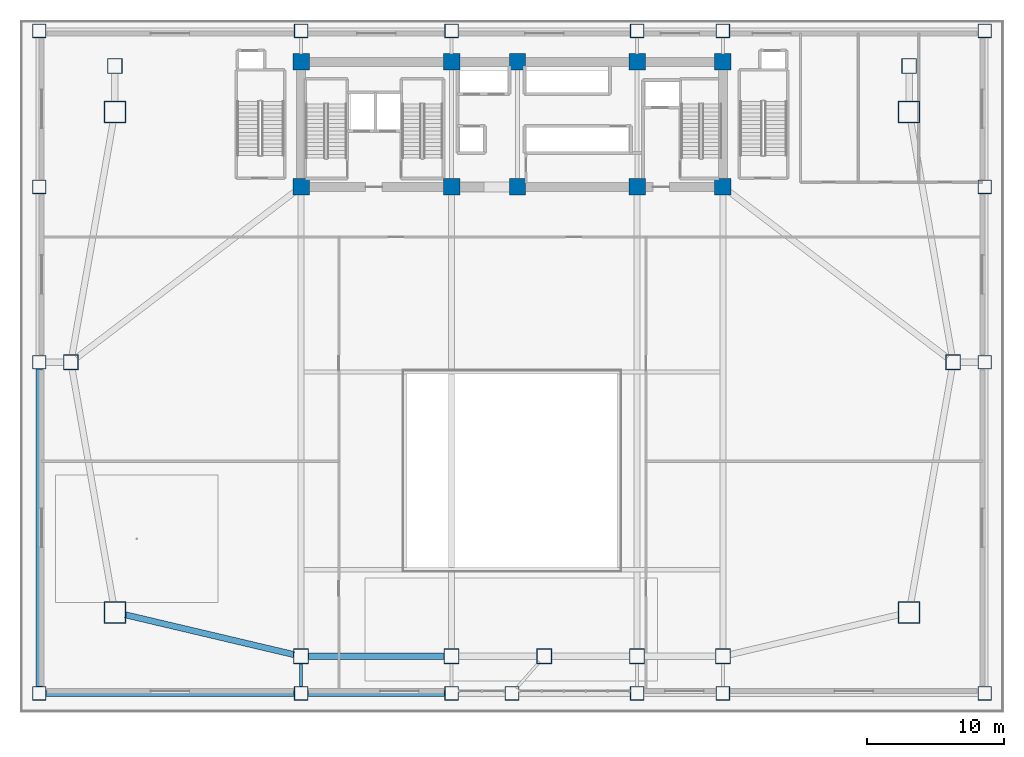
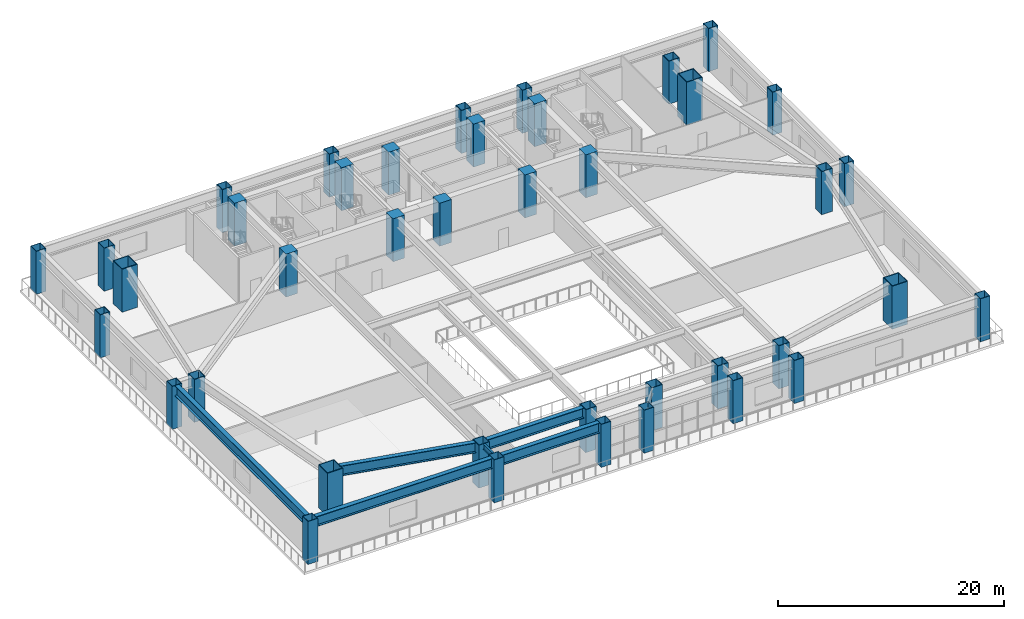
# One storey, part 1 of 14: 40 columns, 6 beams.
"""IFC4 building model written with IfcOpenShell, lengths in metres."""

from ifc_helpers import new_model, si_unit, direction, frame, origin, origin_2d, place, context, subcontext, project, spatial, rectangle, hollow_rectangle, i_section, extrude, source, transform, mapped, material, material_profile, profile_set, type_object, element, save


model = new_model("IFC4")

# Units and contexts
model_context = context("Model", 3, precision=1e-05, world=origin(), true_north=direction((0.0, 1.0)))
body_context = subcontext(model_context, "Body", "Model", "MODEL_VIEW")
ifc_project = project(units=[si_unit("LENGTHUNIT", "METRE"), si_unit("AREAUNIT", "SQUARE_METRE"), si_unit("VOLUMEUNIT", "CUBIC_METRE"), si_unit("PLANEANGLEUNIT", "RADIAN"), si_unit("MASSUNIT", "GRAM", prefix="KILO")], contexts=[model_context])

# Site, building, storey
site_placement = place(None, origin())
site = spatial("IfcSite", under=ifc_project, at=site_placement, CompositionType="ELEMENT")
building_placement = place(site_placement, origin())
building = spatial("IfcBuilding", under=site, at=building_placement, Name="Giltprow Tower", CompositionType="ELEMENT")
storey_placement = place(building_placement, frame((0.0, 0.0, 15.199951171875)))
storey = spatial("IfcBuildingStorey", under=building, at=storey_placement, Name="L04", CompositionType="ELEMENT", Elevation=15.199951171875)

# Columns
ifc_material_1 = material(Name="Concrete C60", Category="concrete")
ifc_material_profile_1 = material_profile(ifc_material_1, rectangle(XDim=1.199951171875, YDim=1.199951171875, at=origin_2d()), Name="RC 1200x1200")
ifc_profile_set_1 = profile_set([ifc_material_profile_1], Name="Concrete C60")
column_type_1 = type_object("IfcColumnType", Name="PIL-RC-1200-C60", PredefinedType="PILASTER", material=ifc_profile_set_1)
shared_shape_1 = source(origin(), body_context, "Body", "SweptSolid", [
    extrude(rectangle(XDim=1.199951171875, YDim=1.199951171875, at=origin_2d()), origin(), (0.0, 0.0, 1.0), 4.650146484375),
])
for number, where, z_axis, x_axis, name in (
    (1, (19.85009765625, 37.449951171875, 0.0), (0.0, 0.0, 1.0), (1.0, 0.0, 0.0), "L04 Core Boundary Pilaster 1-1"),
    (2, (19.85009765625, 46.550048828125, 0.0), (0.0, 0.0, 1.0), (1.0, 0.0, 0.0), "L04 Core Boundary Pilaster 1-2"),
    (3, (30.800048828125, 37.449951171875, 0.0), (0.0, 0.0, 1.0), (1.0, 0.0, 0.0), "L04 Core Boundary Pilaster 2-1"),
    (4, (30.800048828125, 46.550048828125, 0.0), (0.0, 0.0, 1.0), (1.0, 0.0, 0.0), "L04 Core Boundary Pilaster 2-2"),
    (5, (35.60009765625, 37.449951171875, 0.0), (0.0, 0.0, 1.0), (1.0, 0.0, 0.0), "L04 Core Boundary Pilaster 3-1"),
    (6, (35.60009765625, 46.550048828125, 0.0), (0.0, 0.0, 1.0), (1.0, 0.0, 0.0), "L04 Core Boundary Pilaster 3-2"),
    (7, (44.300048828125, 37.449951171875, 0.0), (0.0, 0.0, 1.0), (1.0, 0.0, 0.0), "L04 Core Boundary Pilaster 4-1"),
    (8, (44.300048828125, 46.550048828125, 0.0), (0.0, 0.0, 1.0), (1.0, 0.0, 0.0), "L04 Core Boundary Pilaster 4-2"),
    (9, (50.550048828125, 37.449951171875, 0.0), (0.0, 0.0, 1.0), (1.0, 0.0, 0.0), "L04 Core Boundary Pilaster 5-1"),
    (10, (50.550048828125, 46.550048828125, 0.0), (0.0, 0.0, 1.0), (1.0, 0.0, 0.0), "L04 Core Boundary Pilaster 5-2"),
):
    element("IfcColumn", number, at=place(storey_placement, frame(where, z_axis=z_axis, x_axis=x_axis)), inside=storey, type_object=column_type_1, Name=name, PredefinedType="PILASTER", context=body_context, shape_type="MappedRepresentation", body=[
        mapped(shared_shape_1, transform((0.0, 0.0, 0.0), x_axis=(1.0, 0.0, 0.0), y_axis=(0.0, 1.0, 0.0), z_axis=(0.0, 0.0, 1.0), scale=1.0)),
    ])
ifc_material_2 = material(Name="Structural steel Q420GJC", Category="steel")
ifc_material_profile_2 = material_profile(ifc_material_2, hollow_rectangle(XDim=1.60009765625, YDim=1.60009765625, WallThickness=0.074951171875, at=origin_2d()), Name="BOX 1600x1600x75")
ifc_profile_set_2 = profile_set([ifc_material_profile_2], Name="Structural steel Q420GJC")
column_type_2 = type_object("IfcColumnType", Name="COL-BOX-1600x1600x75", PredefinedType="COLUMN", material=ifc_profile_set_2)
shared_shape_2 = source(origin(), body_context, "Body", "SweptSolid", [
    extrude(hollow_rectangle(XDim=1.60009765625, YDim=1.60009765625, WallThickness=0.074951171875, at=origin_2d()), origin(), (0.0, 0.0, 1.0), 4.650146484375),
])
for number, where, z_axis, x_axis, name in (
    (11, (6.300048828125, 6.5, 0.0), (0.0, 0.0, 1.0), (1.0, 0.0, 0.0), "L04 Continuous Tower Column MC_SW"),
    (12, (64.10009765625, 6.5, 0.0), (0.0, 0.0, 1.0), (1.0, 0.0, 0.0), "L04 Continuous Tower Column MC_SE"),
    (13, (6.300048828125, 42.89990234375, 0.0), (0.0, 0.0, 1.0), (1.0, 0.0, 0.0), "L04 Continuous Tower Column MC_NW"),
    (14, (64.10009765625, 42.89990234375, 0.0), (0.0, 0.0, 1.0), (1.0, 0.0, 0.0), "L04 Continuous Tower Column MC_NE"),
):
    element("IfcColumn", number, at=place(storey_placement, frame(where, z_axis=z_axis, x_axis=x_axis)), inside=storey, type_object=column_type_2, Name=name, PredefinedType="COLUMN", context=body_context, shape_type="MappedRepresentation", body=[
        mapped(shared_shape_2, transform((0.0, 0.0, 0.0), x_axis=(1.0, 0.0, 0.0), y_axis=(0.0, 1.0, 0.0), z_axis=(0.0, 0.0, 1.0), scale=1.0)),
    ])
ifc_material_profile_3 = material_profile(ifc_material_2, hollow_rectangle(XDim=1.10009765625, YDim=1.10009765625, WallThickness=0.050048828125, at=origin_2d()), Name="BOX 1100x1100x50")
ifc_profile_set_3 = profile_set([ifc_material_profile_3], Name="Structural steel Q420GJC")
column_type_3 = type_object("IfcColumnType", Name="COL-BOX-1100x1100x50", PredefinedType="COLUMN", material=ifc_profile_set_3)
shared_shape_3 = source(origin(), body_context, "Body", "SweptSolid", [
    extrude(hollow_rectangle(XDim=1.10009765625, YDim=1.10009765625, WallThickness=0.050048828125, at=origin_2d()), origin(), (0.0, 0.0, 1.0), 4.650146484375),
])
for number, where, z_axis, x_axis, name in (
    (15, (19.85009765625, 3.300048828125, 0.0), (0.0, 0.0, 1.0), (1.0, 0.0, 0.0), "L04 Continuous Tower Column S1"),
    (16, (30.800048828125, 3.300048828125, 0.0), (0.0, 0.0, 1.0), (1.0, 0.0, 0.0), "L04 Continuous Tower Column S2"),
    (17, (37.550048828125, 3.300048828125, 0.0), (0.0, 0.0, 1.0), (1.0, 0.0, 0.0), "L04 Continuous Tower Column S_MID"),
    (18, (44.300048828125, 3.300048828125, 0.0), (0.0, 0.0, 1.0), (1.0, 0.0, 0.0), "L04 Continuous Tower Column S3"),
    (19, (50.550048828125, 3.300048828125, 0.0), (0.0, 0.0, 1.0), (1.0, 0.0, 0.0), "L04 Continuous Tower Column S4"),
    (20, (3.10009765625, 24.699951171875, 0.0), (0.0, 0.0, 1.0), (1.0, 0.0, 0.0), "L04 Continuous Tower Column W_MID"),
    (21, (67.300048828125, 24.699951171875, 0.0), (0.0, 0.0, 1.0), (1.0, 0.0, 0.0), "L04 Continuous Tower Column E_MID"),
    (22, (6.300048828125, 46.25, 0.0), (0.0, 0.0, 1.0), (1.0, 0.0, 0.0), "L04 Continuous Tower Column N_W"),
    (23, (64.10009765625, 46.25, 0.0), (0.0, 0.0, 1.0), (1.0, 0.0, 0.0), "L04 Continuous Tower Column N_E"),
):
    element("IfcColumn", number, at=place(storey_placement, frame(where, z_axis=z_axis, x_axis=x_axis)), inside=storey, type_object=column_type_3, Name=name, PredefinedType="COLUMN", context=body_context, shape_type="MappedRepresentation", body=[
        mapped(shared_shape_3, transform((0.0, 0.0, 0.0), x_axis=(1.0, 0.0, 0.0), y_axis=(0.0, 1.0, 0.0), z_axis=(0.0, 0.0, 1.0), scale=1.0)),
    ])
ifc_material_profile_4 = material_profile(ifc_material_2, hollow_rectangle(XDim=1.0, YDim=1.0, WallThickness=0.044921875, at=origin_2d()), Name="BOX 1000x1000x45")
ifc_profile_set_4 = profile_set([ifc_material_profile_4], Name="Structural steel Q420GJC")
column_type_4 = type_object("IfcColumnType", Name="COL-BOX-1000x1000x45", PredefinedType="COLUMN", material=ifc_profile_set_4)
shared_shape_4 = source(origin(), body_context, "Body", "SweptSolid", [
    extrude(hollow_rectangle(XDim=1.0, YDim=1.0, WallThickness=0.044921875, at=origin_2d()), origin(), (0.0, 0.0, 1.0), 4.650146484375),
])
for number, where, z_axis, x_axis, name in (
    (24, (0.800048828125, 0.60009765625, 0.0), (0.0, 0.0, 1.0), (1.0, 0.0, 0.0), "L04 Podium Column (0.8,0.6)"),
    (25, (19.85009765625, 0.60009765625, 0.0), (0.0, 0.0, 1.0), (1.0, 0.0, 0.0), "L04 Podium Column (19.9,0.6)"),
    (26, (30.800048828125, 0.60009765625, 0.0), (0.0, 0.0, 1.0), (1.0, 0.0, 0.0), "L04 Podium Column (30.8,0.6)"),
    (27, (35.199951171875, 0.60009765625, 0.0), (0.0, 0.0, 1.0), (1.0, 0.0, 0.0), "L04 Podium Column (35.2,0.6)"),
    (28, (44.300048828125, 0.60009765625, 0.0), (0.0, 0.0, 1.0), (1.0, 0.0, 0.0), "L04 Podium Column (44.3,0.6)"),
    (29, (50.550048828125, 0.60009765625, 0.0), (0.0, 0.0, 1.0), (1.0, 0.0, 0.0), "L04 Podium Column (50.5,0.6)"),
    (30, (69.60009765625, 0.60009765625, 0.0), (0.0, 0.0, 1.0), (1.0, 0.0, 0.0), "L04 Podium Column (69.6,0.6)"),
    (31, (0.800048828125, 24.699951171875, 0.0), (0.0, 0.0, 1.0), (1.0, 0.0, 0.0), "L04 Podium Column (0.8,24.7)"),
    (32, (69.60009765625, 24.699951171875, 0.0), (0.0, 0.0, 1.0), (1.0, 0.0, 0.0), "L04 Podium Column (69.6,24.7)"),
    (33, (0.800048828125, 37.449951171875, 0.0), (0.0, 0.0, 1.0), (1.0, 0.0, 0.0), "L04 Podium Column (0.8,37.5)"),
    (34, (69.60009765625, 37.449951171875, 0.0), (0.0, 0.0, 1.0), (1.0, 0.0, 0.0), "L04 Podium Column (69.6,37.5)"),
    (35, (0.800048828125, 48.800048828125, 0.0), (0.0, 0.0, 1.0), (1.0, 0.0, 0.0), "L04 Podium Column (0.8,48.8)"),
    (36, (19.85009765625, 48.800048828125, 0.0), (0.0, 0.0, 1.0), (1.0, 0.0, 0.0), "L04 Podium Column (19.9,48.8)"),
    (37, (30.800048828125, 48.800048828125, 0.0), (0.0, 0.0, 1.0), (1.0, 0.0, 0.0), "L04 Podium Column (30.8,48.8)"),
    (38, (44.300048828125, 48.800048828125, 0.0), (0.0, 0.0, 1.0), (1.0, 0.0, 0.0), "L04 Podium Column (44.3,48.8)"),
    (39, (50.550048828125, 48.800048828125, 0.0), (0.0, 0.0, 1.0), (1.0, 0.0, 0.0), "L04 Podium Column (50.5,48.8)"),
    (40, (69.60009765625, 48.800048828125, 0.0), (0.0, 0.0, 1.0), (1.0, 0.0, 0.0), "L04 Podium Column (69.6,48.8)"),
):
    element("IfcColumn", number, at=place(storey_placement, frame(where, z_axis=z_axis, x_axis=x_axis)), inside=storey, type_object=column_type_4, Name=name, PredefinedType="COLUMN", context=body_context, shape_type="MappedRepresentation", body=[
        mapped(shared_shape_4, transform((0.0, 0.0, 0.0), x_axis=(1.0, 0.0, 0.0), y_axis=(0.0, 1.0, 0.0), z_axis=(0.0, 0.0, 1.0), scale=1.0)),
    ])

# Beams
ifc_material_profile_5 = material_profile(ifc_material_2, i_section(OverallWidth=0.449951171875, OverallDepth=1.10009765625, WebThickness=0.02587890625, FlangeThickness=0.0419921875, at=origin_2d()), Name="WH 1100x450x26x42")
ifc_profile_set_5 = profile_set([ifc_material_profile_5], Name="Structural steel Q420GJC")
beam_type_1 = type_object("IfcBeamType", Name="BM-GIRD-WH1100", PredefinedType="BEAM", material=ifc_profile_set_5)
shared_shape_5 = source(origin(), body_context, "Body", "SweptSolid", [
    extrude(i_section(OverallWidth=0.449951171875, OverallDepth=1.10009765625, WebThickness=0.02587890625, FlangeThickness=0.0419921875, at=origin_2d()), origin(), (0.0, 0.0, 1.0), 12.6025390625),
])
beam_1_placement = place(storey_placement, frame((7.06396484375, 6.320068359375, 4.10009765625), z_axis=(0.973221185684, -0.22987066741, 0.0), x_axis=(0.22987066741, 0.973221185684, 0.0)))
element("IfcBeam", 41, at=beam_1_placement, inside=storey, type_object=beam_type_1, Name="L04 Tower Base Ring Girder 1", PredefinedType="BEAM", context=body_context, shape_type="MappedRepresentation", body=[
    mapped(shared_shape_5, transform((0.0, 0.0, 0.0), x_axis=(1.0, 0.0, 0.0), y_axis=(0.0, 1.0, 0.0), z_axis=(0.0, 0.0, 1.0), scale=1.0)),
])
shared_shape_6 = source(origin(), body_context, "Body", "SweptSolid", [
    extrude(i_section(OverallWidth=0.449951171875, OverallDepth=1.10009765625, WebThickness=0.02587890625, FlangeThickness=0.0419921875, at=origin_2d()), origin(), (0.0, 0.0, 1.0), 9.8798828125),
])
beam_2_placement = place(storey_placement, frame((20.385009765625, 3.300048828125, 4.10009765625), z_axis=(1.0, 0.0, 0.0), x_axis=(0.0, 1.0, 0.0)))
element("IfcBeam", 42, at=beam_2_placement, inside=storey, type_object=beam_type_1, Name="L04 Tower Base Ring Girder 2", PredefinedType="BEAM", context=body_context, shape_type="MappedRepresentation", body=[
    mapped(shared_shape_6, transform((0.0, 0.0, 0.0), x_axis=(1.0, 0.0, 0.0), y_axis=(0.0, 1.0, 0.0), z_axis=(0.0, 0.0, 1.0), scale=1.0)),
])
shared_shape_7 = source(origin(), body_context, "Body", "SweptSolid", [
    extrude(i_section(OverallWidth=0.449951171875, OverallDepth=1.10009765625, WebThickness=0.02587890625, FlangeThickness=0.0419921875, at=origin_2d()), origin(), (0.0, 0.0, 1.0), 18.080078125),
])
beam_3_placement = place(storey_placement, frame((1.284912109375, 0.60009765625, 4.10009765625), z_axis=(1.0, 0.0, 0.0), x_axis=(0.0, 1.0, 0.0)))
element("IfcBeam", 43, at=beam_3_placement, inside=storey, type_object=beam_type_1, Name="L04 Podium South Edge Girder", PredefinedType="BEAM", context=body_context, shape_type="MappedRepresentation", body=[
    mapped(shared_shape_7, transform((0.0, 0.0, 0.0), x_axis=(1.0, 0.0, 0.0), y_axis=(0.0, 1.0, 0.0), z_axis=(0.0, 0.0, 1.0), scale=1.0)),
])
shared_shape_8 = source(origin(), body_context, "Body", "SweptSolid", [
    extrude(i_section(OverallWidth=0.449951171875, OverallDepth=1.10009765625, WebThickness=0.02587890625, FlangeThickness=0.0419921875, at=origin_2d()), origin(), (0.0, 0.0, 1.0), 9.97998046875),
])
beam_4_placement = place(storey_placement, frame((20.3349609375, 0.60009765625, 4.10009765625), z_axis=(1.0, 0.0, 0.0), x_axis=(0.0, 1.0, 0.0)))
element("IfcBeam", 44, at=beam_4_placement, inside=storey, type_object=beam_type_1, Name="L04 Podium South Edge Girder", PredefinedType="BEAM", context=body_context, shape_type="MappedRepresentation", body=[
    mapped(shared_shape_8, transform((0.0, 0.0, 0.0), x_axis=(1.0, 0.0, 0.0), y_axis=(0.0, 1.0, 0.0), z_axis=(0.0, 0.0, 1.0), scale=1.0)),
])
shared_shape_9 = source(origin(), body_context, "Body", "SweptSolid", [
    extrude(i_section(OverallWidth=0.449951171875, OverallDepth=1.10009765625, WebThickness=0.02587890625, FlangeThickness=0.0419921875, at=origin_2d()), origin(), (0.0, 0.0, 1.0), 23.130126953125),
])
beam_5_placement = place(storey_placement, frame((0.800048828125, 1.0849609375, 4.10009765625), z_axis=(0.0, 1.0, 0.0), x_axis=(-1.0, 0.0, 0.0)))
element("IfcBeam", 45, at=beam_5_placement, inside=storey, type_object=beam_type_1, Name="L04 Podium Side Girder", PredefinedType="BEAM", context=body_context, shape_type="MappedRepresentation", body=[
    mapped(shared_shape_9, transform((0.0, 0.0, 0.0), x_axis=(1.0, 0.0, 0.0), y_axis=(0.0, 1.0, 0.0), z_axis=(0.0, 0.0, 1.0), scale=1.0)),
])
ifc_material_3 = material(Name="Structural steel Q355B", Category="steel")
ifc_material_profile_6 = material_profile(ifc_material_3, i_section(OverallWidth=0.199951171875, OverallDepth=0.60009765625, WebThickness=0.010986328125, FlangeThickness=0.01708984375, at=origin_2d()), Name="HN 600x200x11x17")
ifc_profile_set_6 = profile_set([ifc_material_profile_6], Name="Structural steel Q355B")
beam_type_2 = type_object("IfcBeamType", Name="BM-GIRD-HN600", PredefinedType="BEAM", material=ifc_profile_set_6)
shared_shape_10 = source(origin(), body_context, "Body", "SweptSolid", [
    extrude(i_section(OverallWidth=0.199951171875, OverallDepth=0.60009765625, WebThickness=0.010986328125, FlangeThickness=0.01708984375, at=origin_2d()), origin(), (0.0, 0.0, 1.0), 1.679931640625),
])
beam_6_placement = place(storey_placement, frame((19.85009765625, 1.0849609375, 4.35009765625), z_axis=(0.0, 1.0, 0.0), x_axis=(-1.0, 0.0, 0.0)))
element("IfcBeam", 46, at=beam_6_placement, inside=storey, type_object=beam_type_2, Name="L04 South Perimeter Tie S1", PredefinedType="BEAM", context=body_context, shape_type="MappedRepresentation", body=[
    mapped(shared_shape_10, transform((0.0, 0.0, 0.0), x_axis=(1.0, 0.0, 0.0), y_axis=(0.0, 1.0, 0.0), z_axis=(0.0, 0.0, 1.0), scale=1.0)),
])

save(model, "model.ifc")
